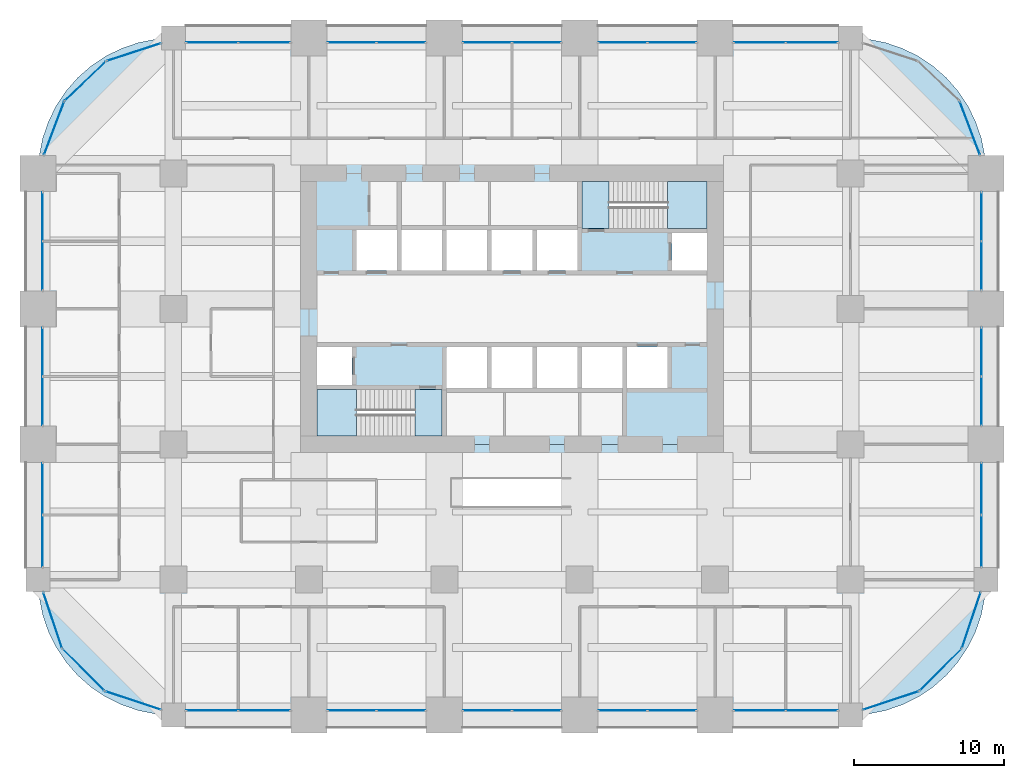
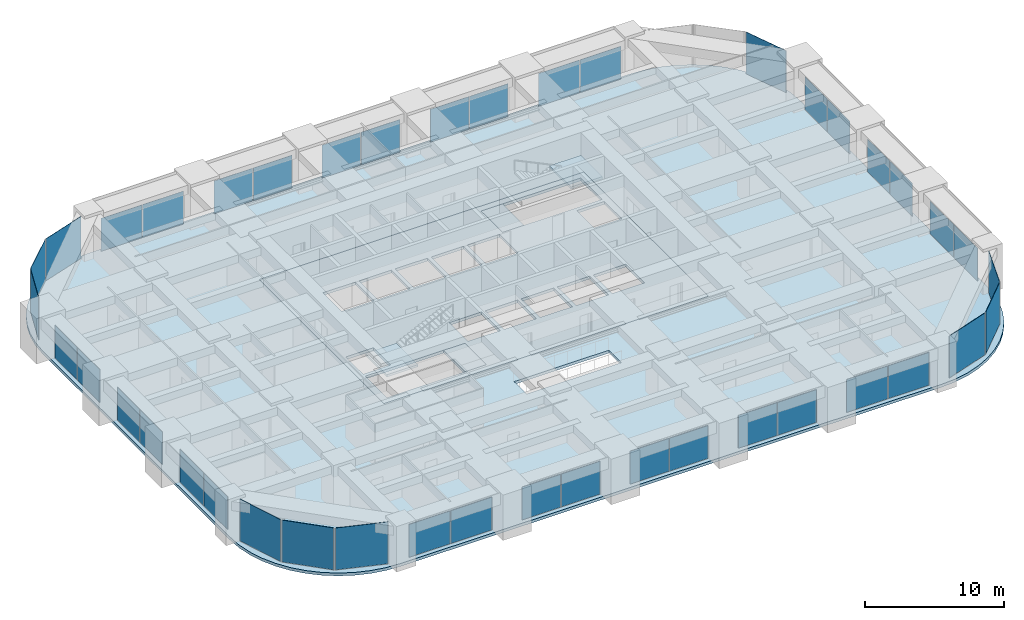
# One storey, part 37 of 43: 42 plates, 6 slabs, 28 elements without a shape of their own.
"""IFC4 building model written with IfcOpenShell, lengths in metres."""

from ifc_helpers import new_model, si_unit, direction, frame, origin, origin_2d, place, context, subcontext, project, spatial, polyline, rectangle, outline, extrude, material, layer, layer_set, type_object, element, aggregate, save


model = new_model("IFC4")

# Units and contexts
model_context = context("Model", 3, precision=1e-05, world=origin(), true_north=direction((0.0, 1.0)))
body_context = subcontext(model_context, "Body", "Model", "MODEL_VIEW")
ifc_project = project(units=[si_unit("LENGTHUNIT", "METRE"), si_unit("AREAUNIT", "SQUARE_METRE"), si_unit("VOLUMEUNIT", "CUBIC_METRE"), si_unit("PLANEANGLEUNIT", "RADIAN"), si_unit("MASSUNIT", "GRAM", prefix="KILO")], contexts=[model_context])

# Site, building, storey
site_placement = place(None, origin())
site = spatial("IfcSite", under=ifc_project, at=site_placement, CompositionType="ELEMENT")
building_placement = place(site_placement, origin())
building = spatial("IfcBuilding", under=site, at=building_placement, Name="Zorevar Civic Tower", CompositionType="ELEMENT")
storey_placement = place(building_placement, frame((0.0, 0.0, 141.0)))
storey = spatial("IfcBuildingStorey", under=building, at=storey_placement, Name="L34", CompositionType="ELEMENT", Elevation=141.0)

# Curtain wall, plates
ifc_material_1 = material(Name="Dark grey solar-control glass in black aluminium frame", Category="aluminium")
curtain_wall_type = type_object("IfcCurtainWallType", Name="Curtain wall CW3 mid zone", PredefinedType="NOTDEFINED", material=ifc_material_1)
curtain_wall_1_placement = place(storey_placement, origin())
curtain_wall_1 = element("IfcCurtainWall", 1, at=curtain_wall_1_placement, inside=storey, type_object=curtain_wall_type, Name="CW3 L34", PredefinedType="NOTDEFINED")
ifc_material_2 = material(Name="Dark grey solar-control glass", Category="glass")
ifc_layer_1 = layer(ifc_material_2, 0.030029296875)
ifc_layer_set_1 = layer_set([ifc_layer_1], Name="CW3 panel 30")
plate_type = type_object("IfcPlateType", Name="CW3 panel 30", PredefinedType="CURTAIN_PANEL", material=ifc_layer_set_1)
plate_1_placement = place(storey_placement, frame((11.56494140625, 0.300048828125, 0.06005859375), z_axis=(0.0, 0.0, 1.0), x_axis=(1.0, 0.0, 0.0)))
plate_1 = element("IfcPlate", 2, at=plate_1_placement, type_object=plate_type, Name="CW3 panel 1.1", PredefinedType="CURTAIN_PANEL", context=body_context, shape_type="SweptSolid", body=[
    extrude(rectangle(XDim=3.409912109375, YDim=0.030029296875, at=origin_2d()), origin(), (0.0, 0.0, 1.0), 2.889892578125),
])
plate_2_placement = place(storey_placement, frame((15.034912109375, 0.300048828125, 0.06005859375), z_axis=(0.0, 0.0, 1.0), x_axis=(1.0, 0.0, 0.0)))
plate_2 = element("IfcPlate", 3, at=plate_2_placement, type_object=plate_type, Name="CW3 panel 2.1", PredefinedType="CURTAIN_PANEL", context=body_context, shape_type="SweptSolid", body=[
    extrude(rectangle(XDim=3.409912109375, YDim=0.030029296875, at=origin_2d()), origin(), (0.0, 0.0, 1.0), 2.889892578125),
])
aggregate(curtain_wall_1, [plate_1, plate_2])

curtain_wall_2_placement = place(storey_placement, origin())
curtain_wall_2 = element("IfcCurtainWall", 4, at=curtain_wall_2_placement, inside=storey, type_object=curtain_wall_type, Name="CW3 L34", PredefinedType="NOTDEFINED")
plate_3_placement = place(storey_placement, frame((11.56494140625, 44.699951171875, 0.06005859375), z_axis=(0.0, 0.0, 1.0), x_axis=(1.0, 0.0, 0.0)))
plate_3 = element("IfcPlate", 5, at=plate_3_placement, type_object=plate_type, Name="CW3 panel 1.1", PredefinedType="CURTAIN_PANEL", context=body_context, shape_type="SweptSolid", body=[
    extrude(rectangle(XDim=3.409912109375, YDim=0.030029296875, at=origin_2d()), origin(), (0.0, 0.0, 1.0), 2.889892578125),
])
plate_4_placement = place(storey_placement, frame((15.034912109375, 44.699951171875, 0.06005859375), z_axis=(0.0, 0.0, 1.0), x_axis=(1.0, 0.0, 0.0)))
plate_4 = element("IfcPlate", 6, at=plate_4_placement, type_object=plate_type, Name="CW3 panel 2.1", PredefinedType="CURTAIN_PANEL", context=body_context, shape_type="SweptSolid", body=[
    extrude(rectangle(XDim=3.409912109375, YDim=0.030029296875, at=origin_2d()), origin(), (0.0, 0.0, 1.0), 2.889892578125),
])
aggregate(curtain_wall_2, [plate_3, plate_4])

curtain_wall_3_placement = place(storey_placement, origin())
curtain_wall_3 = element("IfcCurtainWall", 7, at=curtain_wall_3_placement, inside=storey, type_object=curtain_wall_type, Name="CW3 L34", PredefinedType="NOTDEFINED")
plate_5_placement = place(storey_placement, frame((20.864990234375, 0.300048828125, 0.06005859375), z_axis=(0.0, 0.0, 1.0), x_axis=(1.0, 0.0, 0.0)))
plate_5 = element("IfcPlate", 8, at=plate_5_placement, type_object=plate_type, Name="CW3 panel 1.1", PredefinedType="CURTAIN_PANEL", context=body_context, shape_type="SweptSolid", body=[
    extrude(rectangle(XDim=3.2099609375, YDim=0.030029296875, at=origin_2d()), origin(), (0.0, 0.0, 1.0), 2.889892578125),
])
plate_6_placement = place(storey_placement, frame((24.135009765625, 0.300048828125, 0.06005859375), z_axis=(0.0, 0.0, 1.0), x_axis=(1.0, 0.0, 0.0)))
plate_6 = element("IfcPlate", 9, at=plate_6_placement, type_object=plate_type, Name="CW3 panel 2.1", PredefinedType="CURTAIN_PANEL", context=body_context, shape_type="SweptSolid", body=[
    extrude(rectangle(XDim=3.2099609375, YDim=0.030029296875, at=origin_2d()), origin(), (0.0, 0.0, 1.0), 2.889892578125),
])
aggregate(curtain_wall_3, [plate_5, plate_6])

curtain_wall_4_placement = place(storey_placement, origin())
curtain_wall_4 = element("IfcCurtainWall", 10, at=curtain_wall_4_placement, inside=storey, type_object=curtain_wall_type, Name="CW3 L34", PredefinedType="NOTDEFINED")
plate_7_placement = place(storey_placement, frame((20.864990234375, 44.699951171875, 0.06005859375), z_axis=(0.0, 0.0, 1.0), x_axis=(1.0, 0.0, 0.0)))
plate_7 = element("IfcPlate", 11, at=plate_7_placement, type_object=plate_type, Name="CW3 panel 1.1", PredefinedType="CURTAIN_PANEL", context=body_context, shape_type="SweptSolid", body=[
    extrude(rectangle(XDim=3.2099609375, YDim=0.030029296875, at=origin_2d()), origin(), (0.0, 0.0, 1.0), 2.889892578125),
])
plate_8_placement = place(storey_placement, frame((24.135009765625, 44.699951171875, 0.06005859375), z_axis=(0.0, 0.0, 1.0), x_axis=(1.0, 0.0, 0.0)))
plate_8 = element("IfcPlate", 12, at=plate_8_placement, type_object=plate_type, Name="CW3 panel 2.1", PredefinedType="CURTAIN_PANEL", context=body_context, shape_type="SweptSolid", body=[
    extrude(rectangle(XDim=3.2099609375, YDim=0.030029296875, at=origin_2d()), origin(), (0.0, 0.0, 1.0), 2.889892578125),
])
aggregate(curtain_wall_4, [plate_7, plate_8])

curtain_wall_5_placement = place(storey_placement, origin())
curtain_wall_5 = element("IfcCurtainWall", 13, at=curtain_wall_5_placement, inside=storey, type_object=curtain_wall_type, Name="CW3 L34", PredefinedType="NOTDEFINED")
plate_9_placement = place(storey_placement, frame((29.864990234375, 0.300048828125, 0.06005859375), z_axis=(0.0, 0.0, 1.0), x_axis=(1.0, 0.0, 0.0)))
plate_9 = element("IfcPlate", 14, at=plate_9_placement, type_object=plate_type, Name="CW3 panel 1.1", PredefinedType="CURTAIN_PANEL", context=body_context, shape_type="SweptSolid", body=[
    extrude(rectangle(XDim=3.2099609375, YDim=0.030029296875, at=origin_2d()), origin(), (0.0, 0.0, 1.0), 2.889892578125),
])
plate_10_placement = place(storey_placement, frame((33.135009765625, 0.300048828125, 0.06005859375), z_axis=(0.0, 0.0, 1.0), x_axis=(1.0, 0.0, 0.0)))
plate_10 = element("IfcPlate", 15, at=plate_10_placement, type_object=plate_type, Name="CW3 panel 2.1", PredefinedType="CURTAIN_PANEL", context=body_context, shape_type="SweptSolid", body=[
    extrude(rectangle(XDim=3.2099609375, YDim=0.030029296875, at=origin_2d()), origin(), (0.0, 0.0, 1.0), 2.889892578125),
])
aggregate(curtain_wall_5, [plate_9, plate_10])

curtain_wall_6_placement = place(storey_placement, origin())
curtain_wall_6 = element("IfcCurtainWall", 16, at=curtain_wall_6_placement, inside=storey, type_object=curtain_wall_type, Name="CW3 L34", PredefinedType="NOTDEFINED")
plate_11_placement = place(storey_placement, frame((29.864990234375, 44.699951171875, 0.06005859375), z_axis=(0.0, 0.0, 1.0), x_axis=(1.0, 0.0, 0.0)))
plate_11 = element("IfcPlate", 17, at=plate_11_placement, type_object=plate_type, Name="CW3 panel 1.1", PredefinedType="CURTAIN_PANEL", context=body_context, shape_type="SweptSolid", body=[
    extrude(rectangle(XDim=3.2099609375, YDim=0.030029296875, at=origin_2d()), origin(), (0.0, 0.0, 1.0), 2.889892578125),
])
plate_12_placement = place(storey_placement, frame((33.135009765625, 44.699951171875, 0.06005859375), z_axis=(0.0, 0.0, 1.0), x_axis=(1.0, 0.0, 0.0)))
plate_12 = element("IfcPlate", 18, at=plate_12_placement, type_object=plate_type, Name="CW3 panel 2.1", PredefinedType="CURTAIN_PANEL", context=body_context, shape_type="SweptSolid", body=[
    extrude(rectangle(XDim=3.2099609375, YDim=0.030029296875, at=origin_2d()), origin(), (0.0, 0.0, 1.0), 2.889892578125),
])
aggregate(curtain_wall_6, [plate_11, plate_12])

curtain_wall_7_placement = place(storey_placement, origin())
curtain_wall_7 = element("IfcCurtainWall", 19, at=curtain_wall_7_placement, inside=storey, type_object=curtain_wall_type, Name="CW3 L34", PredefinedType="NOTDEFINED")
plate_13_placement = place(storey_placement, frame((38.864990234375, 0.300048828125, 0.06005859375), z_axis=(0.0, 0.0, 1.0), x_axis=(1.0, 0.0, 0.0)))
plate_13 = element("IfcPlate", 20, at=plate_13_placement, type_object=plate_type, Name="CW3 panel 1.1", PredefinedType="CURTAIN_PANEL", context=body_context, shape_type="SweptSolid", body=[
    extrude(rectangle(XDim=3.2099609375, YDim=0.030029296875, at=origin_2d()), origin(), (0.0, 0.0, 1.0), 2.889892578125),
])
plate_14_placement = place(storey_placement, frame((42.135009765625, 0.300048828125, 0.06005859375), z_axis=(0.0, 0.0, 1.0), x_axis=(1.0, 0.0, 0.0)))
plate_14 = element("IfcPlate", 21, at=plate_14_placement, type_object=plate_type, Name="CW3 panel 2.1", PredefinedType="CURTAIN_PANEL", context=body_context, shape_type="SweptSolid", body=[
    extrude(rectangle(XDim=3.2099609375, YDim=0.030029296875, at=origin_2d()), origin(), (0.0, 0.0, 1.0), 2.889892578125),
])
aggregate(curtain_wall_7, [plate_13, plate_14])

curtain_wall_8_placement = place(storey_placement, origin())
curtain_wall_8 = element("IfcCurtainWall", 22, at=curtain_wall_8_placement, inside=storey, type_object=curtain_wall_type, Name="CW3 L34", PredefinedType="NOTDEFINED")
plate_15_placement = place(storey_placement, frame((38.864990234375, 44.699951171875, 0.06005859375), z_axis=(0.0, 0.0, 1.0), x_axis=(1.0, 0.0, 0.0)))
plate_15 = element("IfcPlate", 23, at=plate_15_placement, type_object=plate_type, Name="CW3 panel 1.1", PredefinedType="CURTAIN_PANEL", context=body_context, shape_type="SweptSolid", body=[
    extrude(rectangle(XDim=3.2099609375, YDim=0.030029296875, at=origin_2d()), origin(), (0.0, 0.0, 1.0), 2.889892578125),
])
plate_16_placement = place(storey_placement, frame((42.135009765625, 44.699951171875, 0.06005859375), z_axis=(0.0, 0.0, 1.0), x_axis=(1.0, 0.0, 0.0)))
plate_16 = element("IfcPlate", 24, at=plate_16_placement, type_object=plate_type, Name="CW3 panel 2.1", PredefinedType="CURTAIN_PANEL", context=body_context, shape_type="SweptSolid", body=[
    extrude(rectangle(XDim=3.2099609375, YDim=0.030029296875, at=origin_2d()), origin(), (0.0, 0.0, 1.0), 2.889892578125),
])
aggregate(curtain_wall_8, [plate_15, plate_16])

curtain_wall_9_placement = place(storey_placement, origin())
curtain_wall_9 = element("IfcCurtainWall", 25, at=curtain_wall_9_placement, inside=storey, type_object=curtain_wall_type, Name="CW3 L34", PredefinedType="NOTDEFINED")
plate_17_placement = place(storey_placement, frame((47.965087890625, 0.300048828125, 0.06005859375), z_axis=(0.0, 0.0, 1.0), x_axis=(1.0, 0.0, 0.0)))
plate_17 = element("IfcPlate", 26, at=plate_17_placement, type_object=plate_type, Name="CW3 panel 1.1", PredefinedType="CURTAIN_PANEL", context=body_context, shape_type="SweptSolid", body=[
    extrude(rectangle(XDim=3.409912109375, YDim=0.030029296875, at=origin_2d()), origin(), (0.0, 0.0, 1.0), 2.889892578125),
])
plate_18_placement = place(storey_placement, frame((51.43505859375, 0.300048828125, 0.06005859375), z_axis=(0.0, 0.0, 1.0), x_axis=(1.0, 0.0, 0.0)))
plate_18 = element("IfcPlate", 27, at=plate_18_placement, type_object=plate_type, Name="CW3 panel 2.1", PredefinedType="CURTAIN_PANEL", context=body_context, shape_type="SweptSolid", body=[
    extrude(rectangle(XDim=3.409912109375, YDim=0.030029296875, at=origin_2d()), origin(), (0.0, 0.0, 1.0), 2.889892578125),
])
aggregate(curtain_wall_9, [plate_17, plate_18])

curtain_wall_10_placement = place(storey_placement, origin())
curtain_wall_10 = element("IfcCurtainWall", 28, at=curtain_wall_10_placement, inside=storey, type_object=curtain_wall_type, Name="CW3 L34", PredefinedType="NOTDEFINED")
plate_19_placement = place(storey_placement, frame((47.965087890625, 44.699951171875, 0.06005859375), z_axis=(0.0, 0.0, 1.0), x_axis=(1.0, 0.0, 0.0)))
plate_19 = element("IfcPlate", 29, at=plate_19_placement, type_object=plate_type, Name="CW3 panel 1.1", PredefinedType="CURTAIN_PANEL", context=body_context, shape_type="SweptSolid", body=[
    extrude(rectangle(XDim=3.409912109375, YDim=0.030029296875, at=origin_2d()), origin(), (0.0, 0.0, 1.0), 2.889892578125),
])
plate_20_placement = place(storey_placement, frame((51.43505859375, 44.699951171875, 0.06005859375), z_axis=(0.0, 0.0, 1.0), x_axis=(1.0, 0.0, 0.0)))
plate_20 = element("IfcPlate", 30, at=plate_20_placement, type_object=plate_type, Name="CW3 panel 2.1", PredefinedType="CURTAIN_PANEL", context=body_context, shape_type="SweptSolid", body=[
    extrude(rectangle(XDim=3.409912109375, YDim=0.030029296875, at=origin_2d()), origin(), (0.0, 0.0, 1.0), 2.889892578125),
])
aggregate(curtain_wall_10, [plate_19, plate_20])

curtain_wall_11_placement = place(storey_placement, origin())
curtain_wall_11 = element("IfcCurtainWall", 31, at=curtain_wall_11_placement, inside=storey, type_object=curtain_wall_type, Name="CW3 L34", PredefinedType="NOTDEFINED")
plate_21_placement = place(storey_placement, frame((0.300048828125, 11.56494140625, 0.06005859375), z_axis=(0.0, 0.0, 1.0), x_axis=(0.0, 1.0, 0.0)))
plate_21 = element("IfcPlate", 32, at=plate_21_placement, type_object=plate_type, Name="CW3 panel 1.1", PredefinedType="CURTAIN_PANEL", context=body_context, shape_type="SweptSolid", body=[
    extrude(rectangle(XDim=3.409912109375, YDim=0.030029296875, at=origin_2d()), origin(), (0.0, 0.0, 1.0), 2.889892578125),
])
plate_22_placement = place(storey_placement, frame((0.300048828125, 15.034912109375, 0.06005859375), z_axis=(0.0, 0.0, 1.0), x_axis=(0.0, 1.0, 0.0)))
plate_22 = element("IfcPlate", 33, at=plate_22_placement, type_object=plate_type, Name="CW3 panel 2.1", PredefinedType="CURTAIN_PANEL", context=body_context, shape_type="SweptSolid", body=[
    extrude(rectangle(XDim=3.409912109375, YDim=0.030029296875, at=origin_2d()), origin(), (0.0, 0.0, 1.0), 2.889892578125),
])
aggregate(curtain_wall_11, [plate_21, plate_22])

curtain_wall_12_placement = place(storey_placement, origin())
curtain_wall_12 = element("IfcCurtainWall", 34, at=curtain_wall_12_placement, inside=storey, type_object=curtain_wall_type, Name="CW3 L34", PredefinedType="NOTDEFINED")
plate_23_placement = place(storey_placement, frame((62.699951171875, 11.56494140625, 0.06005859375), z_axis=(0.0, 0.0, 1.0), x_axis=(0.0, 1.0, 0.0)))
plate_23 = element("IfcPlate", 35, at=plate_23_placement, type_object=plate_type, Name="CW3 panel 1.1", PredefinedType="CURTAIN_PANEL", context=body_context, shape_type="SweptSolid", body=[
    extrude(rectangle(XDim=3.409912109375, YDim=0.030029296875, at=origin_2d()), origin(), (0.0, 0.0, 1.0), 2.889892578125),
])
plate_24_placement = place(storey_placement, frame((62.699951171875, 15.034912109375, 0.06005859375), z_axis=(0.0, 0.0, 1.0), x_axis=(0.0, 1.0, 0.0)))
plate_24 = element("IfcPlate", 36, at=plate_24_placement, type_object=plate_type, Name="CW3 panel 2.1", PredefinedType="CURTAIN_PANEL", context=body_context, shape_type="SweptSolid", body=[
    extrude(rectangle(XDim=3.409912109375, YDim=0.030029296875, at=origin_2d()), origin(), (0.0, 0.0, 1.0), 2.889892578125),
])
aggregate(curtain_wall_12, [plate_23, plate_24])

curtain_wall_13_placement = place(storey_placement, origin())
curtain_wall_13 = element("IfcCurtainWall", 37, at=curtain_wall_13_placement, inside=storey, type_object=curtain_wall_type, Name="CW3 L34", PredefinedType="NOTDEFINED")
plate_25_placement = place(storey_placement, frame((0.300048828125, 20.864990234375, 0.06005859375), z_axis=(0.0, 0.0, 1.0), x_axis=(0.0, 1.0, 0.0)))
plate_25 = element("IfcPlate", 38, at=plate_25_placement, type_object=plate_type, Name="CW3 panel 1.1", PredefinedType="CURTAIN_PANEL", context=body_context, shape_type="SweptSolid", body=[
    extrude(rectangle(XDim=3.2099609375, YDim=0.030029296875, at=origin_2d()), origin(), (0.0, 0.0, 1.0), 2.889892578125),
])
plate_26_placement = place(storey_placement, frame((0.300048828125, 24.135009765625, 0.06005859375), z_axis=(0.0, 0.0, 1.0), x_axis=(0.0, 1.0, 0.0)))
plate_26 = element("IfcPlate", 39, at=plate_26_placement, type_object=plate_type, Name="CW3 panel 2.1", PredefinedType="CURTAIN_PANEL", context=body_context, shape_type="SweptSolid", body=[
    extrude(rectangle(XDim=3.2099609375, YDim=0.030029296875, at=origin_2d()), origin(), (0.0, 0.0, 1.0), 2.889892578125),
])
aggregate(curtain_wall_13, [plate_25, plate_26])

curtain_wall_14_placement = place(storey_placement, origin())
curtain_wall_14 = element("IfcCurtainWall", 40, at=curtain_wall_14_placement, inside=storey, type_object=curtain_wall_type, Name="CW3 L34", PredefinedType="NOTDEFINED")
plate_27_placement = place(storey_placement, frame((62.699951171875, 20.864990234375, 0.06005859375), z_axis=(0.0, 0.0, 1.0), x_axis=(0.0, 1.0, 0.0)))
plate_27 = element("IfcPlate", 41, at=plate_27_placement, type_object=plate_type, Name="CW3 panel 1.1", PredefinedType="CURTAIN_PANEL", context=body_context, shape_type="SweptSolid", body=[
    extrude(rectangle(XDim=3.2099609375, YDim=0.030029296875, at=origin_2d()), origin(), (0.0, 0.0, 1.0), 2.889892578125),
])
plate_28_placement = place(storey_placement, frame((62.699951171875, 24.135009765625, 0.06005859375), z_axis=(0.0, 0.0, 1.0), x_axis=(0.0, 1.0, 0.0)))
plate_28 = element("IfcPlate", 42, at=plate_28_placement, type_object=plate_type, Name="CW3 panel 2.1", PredefinedType="CURTAIN_PANEL", context=body_context, shape_type="SweptSolid", body=[
    extrude(rectangle(XDim=3.2099609375, YDim=0.030029296875, at=origin_2d()), origin(), (0.0, 0.0, 1.0), 2.889892578125),
])
aggregate(curtain_wall_14, [plate_27, plate_28])

curtain_wall_15_placement = place(storey_placement, origin())
curtain_wall_15 = element("IfcCurtainWall", 43, at=curtain_wall_15_placement, inside=storey, type_object=curtain_wall_type, Name="CW3 L34", PredefinedType="NOTDEFINED")
plate_29_placement = place(storey_placement, frame((0.300048828125, 29.864990234375, 0.06005859375), z_axis=(0.0, 0.0, 1.0), x_axis=(0.0, 1.0, 0.0)))
plate_29 = element("IfcPlate", 44, at=plate_29_placement, type_object=plate_type, Name="CW3 panel 1.1", PredefinedType="CURTAIN_PANEL", context=body_context, shape_type="SweptSolid", body=[
    extrude(rectangle(XDim=3.2099609375, YDim=0.030029296875, at=origin_2d()), origin(), (0.0, 0.0, 1.0), 2.889892578125),
])
plate_30_placement = place(storey_placement, frame((0.300048828125, 33.135009765625, 0.06005859375), z_axis=(0.0, 0.0, 1.0), x_axis=(0.0, 1.0, 0.0)))
plate_30 = element("IfcPlate", 45, at=plate_30_placement, type_object=plate_type, Name="CW3 panel 2.1", PredefinedType="CURTAIN_PANEL", context=body_context, shape_type="SweptSolid", body=[
    extrude(rectangle(XDim=3.2099609375, YDim=0.030029296875, at=origin_2d()), origin(), (0.0, 0.0, 1.0), 2.889892578125),
])
aggregate(curtain_wall_15, [plate_29, plate_30])

curtain_wall_16_placement = place(storey_placement, origin())
curtain_wall_16 = element("IfcCurtainWall", 46, at=curtain_wall_16_placement, inside=storey, type_object=curtain_wall_type, Name="CW3 L34", PredefinedType="NOTDEFINED")
plate_31_placement = place(storey_placement, frame((62.699951171875, 29.864990234375, 0.06005859375), z_axis=(0.0, 0.0, 1.0), x_axis=(0.0, 1.0, 0.0)))
plate_31 = element("IfcPlate", 47, at=plate_31_placement, type_object=plate_type, Name="CW3 panel 1.1", PredefinedType="CURTAIN_PANEL", context=body_context, shape_type="SweptSolid", body=[
    extrude(rectangle(XDim=3.2099609375, YDim=0.030029296875, at=origin_2d()), origin(), (0.0, 0.0, 1.0), 2.889892578125),
])
plate_32_placement = place(storey_placement, frame((62.699951171875, 33.135009765625, 0.06005859375), z_axis=(0.0, 0.0, 1.0), x_axis=(0.0, 1.0, 0.0)))
plate_32 = element("IfcPlate", 48, at=plate_32_placement, type_object=plate_type, Name="CW3 panel 2.1", PredefinedType="CURTAIN_PANEL", context=body_context, shape_type="SweptSolid", body=[
    extrude(rectangle(XDim=3.2099609375, YDim=0.030029296875, at=origin_2d()), origin(), (0.0, 0.0, 1.0), 2.889892578125),
])
aggregate(curtain_wall_16, [plate_31, plate_32])

# Curtain wall, plate
curtain_wall_17_placement = place(storey_placement, origin())
curtain_wall_17 = element("IfcCurtainWall", 49, at=curtain_wall_17_placement, inside=storey, type_object=curtain_wall_type, Name="CW3 L34", PredefinedType="NOTDEFINED")
plate_33_placement = place(storey_placement, frame((56.689453125, 0.9697265625, 0.06005859375), z_axis=(0.0, 0.0, 1.0), x_axis=(0.948227238701, 0.317592669603, 0.0)))
plate_33 = element("IfcPlate", 50, at=plate_33_placement, type_object=plate_type, Name="CW3 panel 1.1", PredefinedType="CURTAIN_PANEL", context=body_context, shape_type="SweptSolid", body=[
    extrude(rectangle(XDim=3.865478515625, YDim=0.030029296875, at=origin_2d()), origin(), (0.0, 0.0, 1.0), 3.68994140625),
])
aggregate(curtain_wall_17, [plate_33])

curtain_wall_18_placement = place(storey_placement, origin())
curtain_wall_18 = element("IfcCurtainWall", 51, at=curtain_wall_18_placement, inside=storey, type_object=curtain_wall_type, Name="CW3 L34", PredefinedType="NOTDEFINED")
plate_34_placement = place(storey_placement, frame((59.98828125, 3.01171875, 0.06005859375), z_axis=(0.0, 0.0, 1.0), x_axis=(0.707106781187, 0.707106781187, 0.0)))
plate_34 = element("IfcPlate", 52, at=plate_34_placement, type_object=plate_type, Name="CW3 panel 1.1", PredefinedType="CURTAIN_PANEL", context=body_context, shape_type="SweptSolid", body=[
    extrude(rectangle(XDim=3.865478515625, YDim=0.030029296875, at=origin_2d()), origin(), (0.0, 0.0, 1.0), 3.68994140625),
])
aggregate(curtain_wall_18, [plate_34])

curtain_wall_19_placement = place(storey_placement, origin())
curtain_wall_19 = element("IfcCurtainWall", 53, at=curtain_wall_19_placement, inside=storey, type_object=curtain_wall_type, Name="CW3 L34", PredefinedType="NOTDEFINED")
plate_35_placement = place(storey_placement, frame((62.0302734375, 6.310546875, 0.06005859375), z_axis=(0.0, 0.0, 1.0), x_axis=(0.317592669603, 0.948227238701, 0.0)))
plate_35 = element("IfcPlate", 54, at=plate_35_placement, type_object=plate_type, Name="CW3 panel 1.1", PredefinedType="CURTAIN_PANEL", context=body_context, shape_type="SweptSolid", body=[
    extrude(rectangle(XDim=3.865478515625, YDim=0.030029296875, at=origin_2d()), origin(), (0.0, 0.0, 1.0), 3.68994140625),
])
aggregate(curtain_wall_19, [plate_35])

curtain_wall_20_placement = place(storey_placement, origin())
curtain_wall_20 = element("IfcCurtainWall", 55, at=curtain_wall_20_placement, inside=storey, type_object=curtain_wall_type, Name="CW3 L34", PredefinedType="NOTDEFINED")
plate_36_placement = place(storey_placement, frame((61.9345703125, 39.002685546875, 0.06005859375), z_axis=(0.0, 0.0, 1.0), x_axis=(-0.353917722218, 0.935276561184, 0.0)))
plate_36 = element("IfcPlate", 56, at=plate_36_placement, type_object=plate_type, Name="CW3 panel 1.1", PredefinedType="CURTAIN_PANEL", context=body_context, shape_type="SweptSolid", body=[
    extrude(rectangle(XDim=3.734619140625, YDim=0.030029296875, at=origin_2d()), origin(), (0.0, 0.0, 1.0), 3.68994140625),
])
aggregate(curtain_wall_20, [plate_36])

curtain_wall_21_placement = place(storey_placement, origin())
curtain_wall_21 = element("IfcCurtainWall", 57, at=curtain_wall_21_placement, inside=storey, type_object=curtain_wall_type, Name="CW3 L34", PredefinedType="NOTDEFINED")
plate_37_placement = place(storey_placement, frame((6.36767578125, 44.065185546875, 0.06005859375), z_axis=(0.0, 0.0, 1.0), x_axis=(-0.950650706548, -0.310263169163, 0.0)))
plate_37 = element("IfcPlate", 58, at=plate_37_placement, type_object=plate_type, Name="CW3 panel 1.1", PredefinedType="CURTAIN_PANEL", context=body_context, shape_type="SweptSolid", body=[
    extrude(rectangle(XDim=3.734619140625, YDim=0.030029296875, at=origin_2d()), origin(), (0.0, 0.0, 1.0), 3.68994140625),
])
aggregate(curtain_wall_21, [plate_37])

curtain_wall_22_placement = place(storey_placement, origin())
curtain_wall_22 = element("IfcCurtainWall", 59, at=curtain_wall_22_placement, inside=storey, type_object=curtain_wall_type, Name="CW3 L34", PredefinedType="NOTDEFINED")
plate_38_placement = place(storey_placement, frame((3.1416015625, 42.13623046875, 0.06005859375), z_axis=(0.0, 0.0, 1.0), x_axis=(-0.723289117983, -0.690545329292, 0.0)))
plate_38 = element("IfcPlate", 60, at=plate_38_placement, type_object=plate_type, Name="CW3 panel 1.1", PredefinedType="CURTAIN_PANEL", context=body_context, shape_type="SweptSolid", body=[
    extrude(rectangle(XDim=3.734619140625, YDim=0.030029296875, at=origin_2d()), origin(), (0.0, 0.0, 1.0), 3.68994140625),
])
aggregate(curtain_wall_22, [plate_38])

curtain_wall_23_placement = place(storey_placement, origin())
curtain_wall_23 = element("IfcCurtainWall", 61, at=curtain_wall_23_placement, inside=storey, type_object=curtain_wall_type, Name="CW3 L34", PredefinedType="NOTDEFINED")
plate_39_placement = place(storey_placement, frame((1.0654296875, 39.002685546875, 0.06005859375), z_axis=(0.0, 0.0, 1.0), x_axis=(-0.353917722218, -0.935276561184, 0.0)))
plate_39 = element("IfcPlate", 62, at=plate_39_placement, type_object=plate_type, Name="CW3 panel 1.1", PredefinedType="CURTAIN_PANEL", context=body_context, shape_type="SweptSolid", body=[
    extrude(rectangle(XDim=3.734619140625, YDim=0.030029296875, at=origin_2d()), origin(), (0.0, 0.0, 1.0), 3.68994140625),
])
aggregate(curtain_wall_23, [plate_39])

curtain_wall_24_placement = place(storey_placement, origin())
curtain_wall_24 = element("IfcCurtainWall", 63, at=curtain_wall_24_placement, inside=storey, type_object=curtain_wall_type, Name="CW3 L34", PredefinedType="NOTDEFINED")
plate_40_placement = place(storey_placement, frame((0.9697265625, 6.310546875, 0.06005859375), z_axis=(0.0, 0.0, 1.0), x_axis=(0.317592669603, -0.948227238701, 0.0)))
plate_40 = element("IfcPlate", 64, at=plate_40_placement, type_object=plate_type, Name="CW3 panel 1.1", PredefinedType="CURTAIN_PANEL", context=body_context, shape_type="SweptSolid", body=[
    extrude(rectangle(XDim=3.865478515625, YDim=0.030029296875, at=origin_2d()), origin(), (0.0, 0.0, 1.0), 3.68994140625),
])
aggregate(curtain_wall_24, [plate_40])

curtain_wall_25_placement = place(storey_placement, origin())
curtain_wall_25 = element("IfcCurtainWall", 65, at=curtain_wall_25_placement, inside=storey, type_object=curtain_wall_type, Name="CW3 L34", PredefinedType="NOTDEFINED")
plate_41_placement = place(storey_placement, frame((3.01171875, 3.01171875, 0.06005859375), z_axis=(0.0, 0.0, 1.0), x_axis=(0.707106781187, -0.707106781187, 0.0)))
plate_41 = element("IfcPlate", 66, at=plate_41_placement, type_object=plate_type, Name="CW3 panel 1.1", PredefinedType="CURTAIN_PANEL", context=body_context, shape_type="SweptSolid", body=[
    extrude(rectangle(XDim=3.865478515625, YDim=0.030029296875, at=origin_2d()), origin(), (0.0, 0.0, 1.0), 3.68994140625),
])
aggregate(curtain_wall_25, [plate_41])

curtain_wall_26_placement = place(storey_placement, origin())
curtain_wall_26 = element("IfcCurtainWall", 67, at=curtain_wall_26_placement, inside=storey, type_object=curtain_wall_type, Name="CW3 L34", PredefinedType="NOTDEFINED")
plate_42_placement = place(storey_placement, frame((6.310546875, 0.9697265625, 0.06005859375), z_axis=(0.0, 0.0, 1.0), x_axis=(0.948227238701, -0.317592669603, 0.0)))
plate_42 = element("IfcPlate", 68, at=plate_42_placement, type_object=plate_type, Name="CW3 panel 1.1", PredefinedType="CURTAIN_PANEL", context=body_context, shape_type="SweptSolid", body=[
    extrude(rectangle(XDim=3.865478515625, YDim=0.030029296875, at=origin_2d()), origin(), (0.0, 0.0, 1.0), 3.68994140625),
])
aggregate(curtain_wall_26, [plate_42])

# Slabs
ifc_material_3 = material(Name="Concrete C40/50", Category="concrete")
ifc_layer_2 = layer(ifc_material_3, 0.25)
ifc_layer_set_2 = layer_set([ifc_layer_2], Name="Floor slab 250")
slab_type_1 = type_object("IfcSlabType", Name="Floor slab 250", PredefinedType="FLOOR", material=ifc_layer_set_2)
slab_1_placement = place(storey_placement, frame((0.0, 0.0, -0.25)))
element("IfcSlab", 69, at=slab_1_placement, inside=storey, type_object=slab_type_1, Name="Floor slab L34", PredefinedType="FLOOR", context=body_context, shape_type="SweptSolid", body=[
    extrude(outline(polyline([(54.0, 0.0), (55.1748046875, 0.076904296875), (56.329345703125, 0.306640625), (57.444091796875, 0.68505859375), (58.5, 1.205810546875), (59.478759765625, 1.85986328125), (60.364013671875, 2.635986328125), (61.14013671875, 3.521240234375), (61.794189453125, 4.5), (62.31494140625, 5.555908203125), (62.693359375, 6.670654296875), (62.923095703125, 7.8251953125), (63.0, 9.0), (63.0, 36.0), (62.923095703125, 37.1748046875), (62.693359375, 38.329345703125), (62.31494140625, 39.444091796875), (61.794189453125, 40.5), (61.14013671875, 41.478759765625), (60.364013671875, 42.364013671875), (59.478759765625, 43.14013671875), (58.5, 43.794189453125), (57.444091796875, 44.31494140625), (56.329345703125, 44.693359375), (55.1748046875, 44.923095703125), (54.0, 45.0), (9.0, 45.0), (7.8251953125, 44.923095703125), (6.670654296875, 44.693359375), (5.555908203125, 44.31494140625), (4.5, 43.794189453125), (3.521240234375, 43.14013671875), (2.635986328125, 42.364013671875), (1.85986328125, 41.478759765625), (1.205810546875, 40.5), (0.68505859375, 39.444091796875), (0.306640625, 38.329345703125), (0.076904296875, 37.1748046875), (0.0, 36.0), (0.0, 9.0), (0.076904296875, 7.8251953125), (0.306640625, 6.670654296875), (0.68505859375, 5.555908203125), (1.205810546875, 4.5), (1.85986328125, 3.521240234375), (2.635986328125, 2.635986328125), (3.521240234375, 1.85986328125), (4.5, 1.205810546875), (5.555908203125, 0.68505859375), (6.670654296875, 0.306640625), (7.8251953125, 0.076904296875), (9.0, 0.0), (54.0, 0.0)]), holes=[polyline([(18.0, 18.0), (45.0, 18.0), (45.0, 36.0), (18.0, 36.0), (18.0, 18.0)]), polyline([(27.5, 13.89990234375), (35.39990234375, 13.89990234375), (35.39990234375, 15.699951171875), (27.5, 15.699951171875), (27.5, 13.89990234375)])]), origin(), (0.0, 0.0, 1.0), 0.25),
])
slab_2_placement = place(storey_placement, frame((0.0, 0.0, -0.25)))
element("IfcSlab", 70, at=slab_2_placement, inside=storey, type_object=slab_type_1, Name="Core floor L34", PredefinedType="FLOOR", context=body_context, shape_type="SweptSolid", body=[
    extrude(outline(polyline([(18.0, 18.0), (45.0, 18.0), (45.0, 36.0), (18.0, 36.0), (18.0, 18.0)]), holes=[polyline([(18.550048828125, 18.550048828125), (26.85009765625, 18.550048828125), (26.85009765625, 21.64990234375), (18.550048828125, 21.64990234375), (18.550048828125, 18.550048828125)]), polyline([(36.14990234375, 32.35009765625), (44.449951171875, 32.35009765625), (44.449951171875, 35.449951171875), (36.14990234375, 35.449951171875), (36.14990234375, 32.35009765625)]), polyline([(18.550048828125, 21.949951171875), (20.85009765625, 21.949951171875), (20.85009765625, 24.449951171875), (18.550048828125, 24.449951171875), (18.550048828125, 21.949951171875)]), polyline([(42.14990234375, 29.550048828125), (44.449951171875, 29.550048828125), (44.449951171875, 32.050048828125), (42.14990234375, 32.050048828125), (42.14990234375, 29.550048828125)]), polyline([(27.14990234375, 21.75), (29.85009765625, 21.75), (29.85009765625, 24.449951171875), (27.14990234375, 24.449951171875), (27.14990234375, 21.75)]), polyline([(33.14990234375, 29.550048828125), (35.85009765625, 29.550048828125), (35.85009765625, 32.25), (33.14990234375, 32.25), (33.14990234375, 29.550048828125)]), polyline([(30.14990234375, 21.75), (32.85009765625, 21.75), (32.85009765625, 24.449951171875), (30.14990234375, 24.449951171875), (30.14990234375, 21.75)]), polyline([(30.14990234375, 29.550048828125), (32.85009765625, 29.550048828125), (32.85009765625, 32.25), (30.14990234375, 32.25), (30.14990234375, 29.550048828125)]), polyline([(33.14990234375, 21.75), (35.85009765625, 21.75), (35.85009765625, 24.449951171875), (33.14990234375, 24.449951171875), (33.14990234375, 21.75)]), polyline([(27.14990234375, 29.550048828125), (29.85009765625, 29.550048828125), (29.85009765625, 32.25), (27.14990234375, 32.25), (27.14990234375, 29.550048828125)]), polyline([(36.14990234375, 21.75), (38.85009765625, 21.75), (38.85009765625, 24.449951171875), (36.14990234375, 24.449951171875), (36.14990234375, 21.75)]), polyline([(24.14990234375, 29.550048828125), (26.85009765625, 29.550048828125), (26.85009765625, 32.25), (24.14990234375, 32.25), (24.14990234375, 29.550048828125)]), polyline([(39.14990234375, 21.75), (41.85009765625, 21.75), (41.85009765625, 24.449951171875), (39.14990234375, 24.449951171875), (39.14990234375, 21.75)]), polyline([(21.14990234375, 29.550048828125), (23.85009765625, 29.550048828125), (23.85009765625, 32.25), (21.14990234375, 32.25), (21.14990234375, 29.550048828125)])]), origin(), (0.0, 0.0, 1.0), 0.25),
])

# Stair, slabs
ifc_material_4 = material(Name="Precast concrete C40/50", Category="concrete")
stair_type = type_object("IfcStairType", Name="Stair ST 28R", PredefinedType="HALF_TURN_STAIR", material=ifc_material_4)
stair_1_placement = place(storey_placement, origin())
stair_1 = element("IfcStair", 71, at=stair_1_placement, inside=storey, type_object=stair_type, Name="Stair ST1 L34", PredefinedType="HALF_TURN_STAIR")
ifc_material_5 = material(Name="Concrete C40/50", Category="concrete")
ifc_layer_3 = layer(ifc_material_5, 0.199951171875)
ifc_layer_set_3 = layer_set([ifc_layer_3], Name="Stair landing 200")
slab_type_2 = type_object("IfcSlabType", Name="Stair landing 200", PredefinedType="LANDING", material=ifc_layer_set_3)
slab_3_placement = place(storey_placement, frame((0.0, 0.0, -0.199951171875)))
slab_3 = element("IfcSlab", 72, at=slab_3_placement, type_object=slab_type_2, Name="ST1 landing 1", PredefinedType="LANDING", context=body_context, shape_type="SweptSolid", body=[
    extrude(outline(polyline([(25.050048828125, 18.550048828125), (26.85009765625, 18.550048828125), (26.85009765625, 21.64990234375), (25.050048828125, 21.64990234375), (25.050048828125, 18.550048828125)])), origin(), (0.0, 0.0, 1.0), 0.199951171875),
])
slab_4_placement = place(storey_placement, frame((0.0, 0.0, 1.800048828125)))
slab_4 = element("IfcSlab", 73, at=slab_4_placement, type_object=slab_type_2, Name="ST1 landing 2", PredefinedType="LANDING", context=body_context, shape_type="SweptSolid", body=[
    extrude(outline(polyline([(18.550048828125, 18.550048828125), (21.14990234375, 18.550048828125), (21.14990234375, 21.64990234375), (18.550048828125, 21.64990234375), (18.550048828125, 18.550048828125)])), origin(), (0.0, 0.0, 1.0), 0.199951171875),
])
aggregate(stair_1, [slab_3, slab_4])

stair_2_placement = place(storey_placement, origin())
stair_2 = element("IfcStair", 74, at=stair_2_placement, inside=storey, type_object=stair_type, Name="Stair ST2 L34", PredefinedType="HALF_TURN_STAIR")
slab_5_placement = place(storey_placement, frame((0.0, 0.0, -0.199951171875)))
slab_5 = element("IfcSlab", 75, at=slab_5_placement, type_object=slab_type_2, Name="ST2 landing 1", PredefinedType="LANDING", context=body_context, shape_type="SweptSolid", body=[
    extrude(outline(polyline([(37.949951171875, 32.35009765625), (36.14990234375, 32.35009765625), (36.14990234375, 35.449951171875), (37.949951171875, 35.449951171875), (37.949951171875, 32.35009765625)])), origin(), (0.0, 0.0, 1.0), 0.199951171875),
])
slab_6_placement = place(storey_placement, frame((0.0, 0.0, 1.800048828125)))
slab_6 = element("IfcSlab", 76, at=slab_6_placement, type_object=slab_type_2, Name="ST2 landing 2", PredefinedType="LANDING", context=body_context, shape_type="SweptSolid", body=[
    extrude(outline(polyline([(44.449951171875, 32.35009765625), (41.85009765625, 32.35009765625), (41.85009765625, 35.449951171875), (44.449951171875, 35.449951171875), (44.449951171875, 32.35009765625)])), origin(), (0.0, 0.0, 1.0), 0.199951171875),
])
aggregate(stair_2, [slab_5, slab_6])

save(model, "model.ifc")
